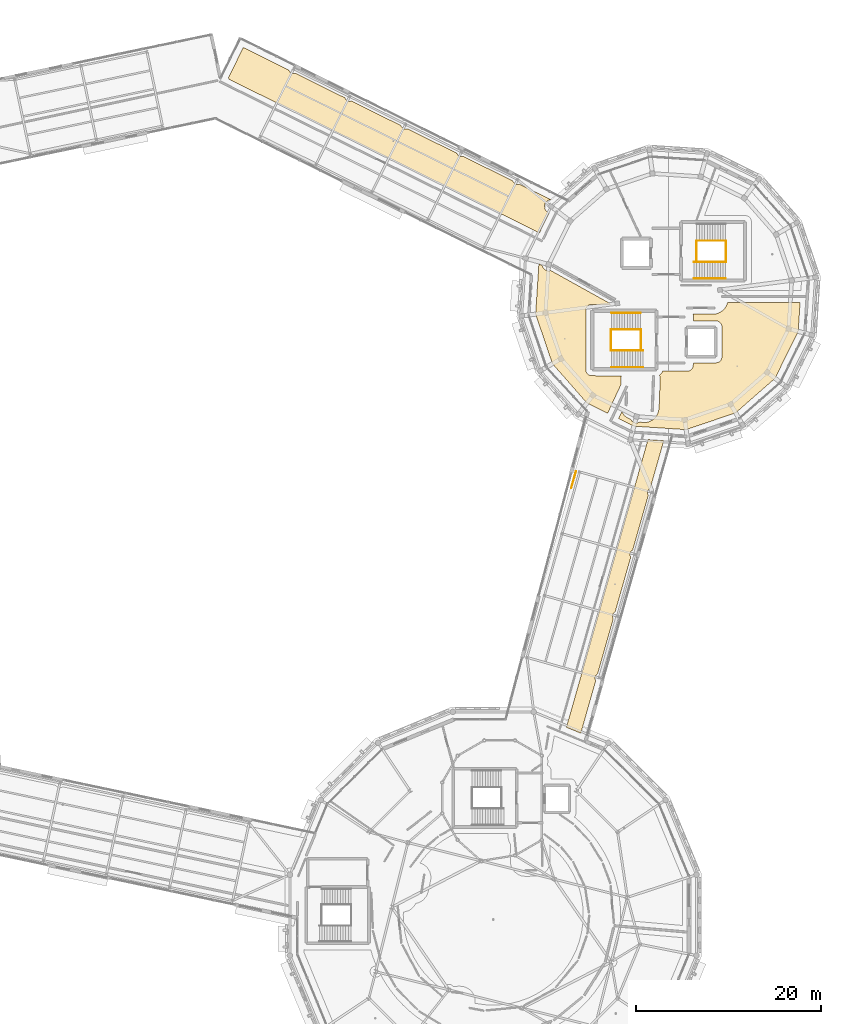
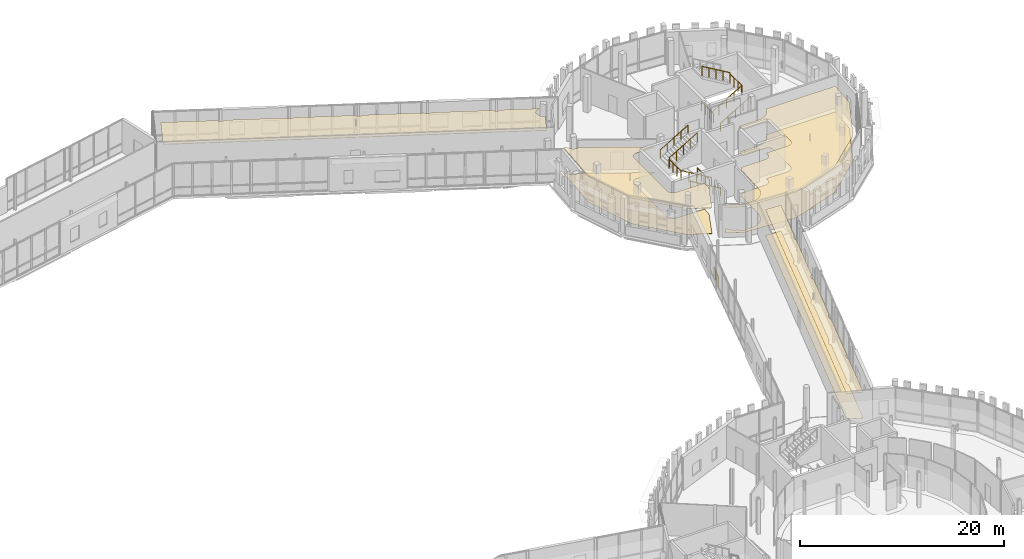
# One storey, part 124 of 125: 12 railings, 7 coverings.
"""IFC4 building model written with IfcOpenShell, lengths in metres."""

from ifc_helpers import new_model, si_unit, direction, frame, origin, origin_2d, place, context, subcontext, project, spatial, polyline, circle, outline, extrude, material, layer, layer_set, type_object, element, save


model = new_model("IFC4")

# Units and contexts
model_context = context("Model", 3, precision=1e-05, world=origin(), true_north=direction((0.0, 1.0)))
body_context = subcontext(model_context, "Body", "Model", "MODEL_VIEW")
ifc_project = project(units=[si_unit("LENGTHUNIT", "METRE"), si_unit("AREAUNIT", "SQUARE_METRE"), si_unit("VOLUMEUNIT", "CUBIC_METRE"), si_unit("PLANEANGLEUNIT", "RADIAN"), si_unit("MASSUNIT", "GRAM", prefix="KILO")], contexts=[model_context])

# Site, building, storey
site_placement = place(None, origin())
site = spatial("IfcSite", under=ifc_project, at=site_placement, CompositionType="ELEMENT")
building_placement = place(site_placement, origin())
building = spatial("IfcBuilding", under=site, at=building_placement, Name="Wrenclough Park School", CompositionType="ELEMENT")
storey_placement = place(building_placement, frame((0.0, 0.0, 4.199951171875)))
storey = spatial("IfcBuildingStorey", under=building, at=storey_placement, Name="L01", CompositionType="ELEMENT", Elevation=4.199951171875)

# Coverings
ifc_material_1 = material(Name="Class A mineral-fibre acoustic ceiling raft", Category="gypsum")
ifc_layer_1 = layer(ifc_material_1, 0.044921875)
ifc_layer_set_1 = layer_set([ifc_layer_1], Name="Class A mineral-fibre acoustic ceiling raft")
covering_type_1 = type_object("IfcCoveringType", Name="INT-COV-CEIL", PredefinedType="CEILING", material=ifc_layer_set_1)
covering_1_placement = place(storey_placement, frame((0.0, 0.0, 3.054931640625)))
element("IfcCovering", 1, at=covering_1_placement, inside=storey, type_object=covering_type_1, Name="Senior Chemistry Science Laboratory 1 acoustic ceiling raft", PredefinedType="CEILING", context=body_context, shape_type="SweptSolid", body=[
    extrude(outline(polyline([(160.830322265625, 96.829833984375), (160.447509765625, 97.0419921875), (160.091064453125, 91.60302734375), (161.913818359375, 86.2333984375), (165.652587890625, 81.969970703125), (167.8916015625, 80.865966796875), (169.318603515625, 83.926513671875), (169.351318359375, 84.711181640625), (169.35888671875, 84.787353515625), (169.384765625, 84.894775390625), (166.109619140625, 84.933837890625), (166.047119140625, 84.943603515625), (165.92626953125, 84.9814453125), (165.815185546875, 85.0419921875), (165.718017578125, 85.122802734375), (165.63818359375, 85.22119140625), (165.605712890625, 85.275634765625), (165.5576171875, 85.392578125), (165.533203125, 85.5166015625), (165.530029296875, 85.580078125), (165.530029296875, 92.02001953125), (165.54248046875, 92.146728515625), (165.57958984375, 92.268798828125), (165.606689453125, 92.326416015625), (165.677490234375, 92.432373046875), (165.720458984375, 92.4794921875), (165.81884765625, 92.560546875), (165.931396484375, 92.62060546875), (166.05322265625, 92.657470703125), (166.179931640625, 92.669921875), (168.22509765625, 92.669921875), (168.037109375, 92.82080078125), (161.731689453125, 96.32373046875), (161.6435546875, 96.29931640625), (161.576171875, 96.289306640625), (161.43994140625, 96.289306640625), (161.306396484375, 96.31591796875), (161.180419921875, 96.3681640625), (161.067138671875, 96.44384765625), (160.970703125, 96.5400390625), (160.89501953125, 96.6533203125), (160.865966796875, 96.715087890625), (160.830322265625, 96.829833984375)])), origin(), (0.0, 0.0, 1.0), 0.045166015625),
])
covering_2_placement = place(storey_placement, frame((0.0, 0.0, 3.054931640625)))
element("IfcCovering", 2, at=covering_2_placement, inside=storey, type_object=covering_type_1, Name="Senior Physics Science Laboratory 1 acoustic ceiling raft", PredefinedType="CEILING", context=body_context, shape_type="SweptSolid", body=[
    extrude(outline(polyline([(169.421875, 81.0244140625), (169.07568359375, 80.281982421875), (170.738525390625, 79.4619140625), (176.39697265625, 79.091064453125), (181.7666015625, 80.913818359375), (186.030029296875, 84.652587890625), (188.5380859375, 89.738525390625), (188.7421875, 92.85009765625), (180.880615234375, 92.85009765625), (180.779296875, 92.56103515625), (180.748779296875, 92.48974609375), (180.603759765625, 92.2607421875), (180.520263671875, 92.158203125), (180.323486328125, 91.96630859375), (180.10791015625, 91.820556640625), (180.041015625, 91.781982421875), (179.969970703125, 91.751708984375), (179.710205078125, 91.65869140625), (179.639404296875, 91.6376953125), (179.56689453125, 91.625), (179.493408203125, 91.62060546875), (177.16259765625, 91.612060546875), (177.169921875, 91.52001953125), (177.169921875, 90.8701171875), (179.68359375, 90.866943359375), (179.80859375, 90.842041015625), (179.86865234375, 90.820556640625), (179.981201171875, 90.760498046875), (180.07958984375, 90.6796875), (180.160400390625, 90.5810546875), (180.193115234375, 90.5263671875), (180.241943359375, 90.40869140625), (180.257568359375, 90.3466796875), (180.27001953125, 90.219970703125), (180.27001953125, 86.97998046875), (180.257568359375, 86.853271484375), (180.241943359375, 86.791259765625), (180.193115234375, 86.673583984375), (180.160400390625, 86.618896484375), (180.07958984375, 86.5205078125), (179.981201171875, 86.439453125), (179.86865234375, 86.37939453125), (179.80859375, 86.35791015625), (179.68359375, 86.3330078125), (177.169921875, 86.330078125), (177.1669921875, 86.016357421875), (177.14208984375, 85.891357421875), (177.09326171875, 85.773681640625), (177.0224609375, 85.66748046875), (176.9794921875, 85.620361328125), (176.881103515625, 85.53955078125), (176.768798828125, 85.4794921875), (176.646728515625, 85.4423828125), (176.52001953125, 85.429931640625), (173.851806640625, 85.429931640625), (173.820556640625, 85.331298828125), (173.793212890625, 85.273681640625), (173.722412109375, 85.16748046875), (173.63232421875, 85.077392578125), (173.517333984375, 85.00244140625), (173.559326171875, 84.8388671875), (173.582275390625, 84.498779296875), (173.468017578125, 81.43017578125), (173.45068359375, 81.303466796875), (173.340087890625, 80.857666015625), (173.311767578125, 80.791015625), (173.2763671875, 80.72802734375), (173.130126953125, 80.499267578125), (173.054931640625, 80.403076171875), (172.796142578125, 80.172119140625), (172.694580078125, 80.09912109375), (172.3212890625, 79.927490234375), (172.19921875, 79.89794921875), (171.916259765625, 79.85791015625), (171.843505859375, 79.851806640625), (171.770263671875, 79.853759765625), (171.3955078125, 79.92431640625), (171.284912109375, 79.865966796875), (171.220703125, 79.843017578125), (171.087158203125, 79.81640625), (170.950927734375, 79.81640625), (170.8173828125, 79.843017578125), (170.69140625, 79.89501953125), (170.578125, 79.970703125), (170.481689453125, 80.067138671875), (170.441162109375, 80.121826171875), (170.392822265625, 80.20849609375), (170.291259765625, 80.247802734375), (169.968994140625, 80.410400390625), (169.753173828125, 80.584716796875), (169.7119140625, 80.62255859375), (169.639892578125, 80.7080078125), (169.421875, 81.0244140625)])), origin(), (0.0, 0.0, 1.0), 0.045166015625),
])
covering_3_placement = place(storey_placement, frame((0.0, 0.0, 3.054931640625)))
element("IfcCovering", 3, at=covering_3_placement, inside=storey, type_object=covering_type_1, Name="Park View Seminar Classroom L01 acoustic ceiling raft", PredefinedType="CEILING", context=body_context, shape_type="SweptSolid", body=[
    extrude(outline(polyline([(163.4306640625, 46.845947265625), (164.985107421875, 46.2021484375), (166.60107421875, 51.900390625), (166.55908203125, 51.980224609375), (166.541748046875, 52.02880859375), (166.521728515625, 52.129638671875), (166.521728515625, 52.232421875), (166.541748046875, 52.333251953125), (166.581298828125, 52.428466796875), (166.63818359375, 52.513916015625), (166.711181640625, 52.586669921875), (166.814208984375, 52.652099609375), (168.501220703125, 58.6015625), (168.460205078125, 58.68017578125), (168.44287109375, 58.728759765625), (168.422607421875, 58.82958984375), (168.422607421875, 58.932373046875), (168.44287109375, 59.033203125), (168.482177734375, 59.12841796875), (168.539306640625, 59.2138671875), (168.612060546875, 59.28662109375), (168.714111328125, 59.3515625), (170.4013671875, 65.301513671875), (170.360107421875, 65.380126953125), (170.3427734375, 65.4287109375), (170.32275390625, 65.529541015625), (170.32275390625, 65.63232421875), (170.3427734375, 65.7333984375), (170.382080078125, 65.828369140625), (170.439208984375, 65.913818359375), (170.51220703125, 65.98681640625), (170.614013671875, 66.051513671875), (172.301025390625, 72.00048828125), (172.259033203125, 72.080078125), (172.24169921875, 72.128662109375), (172.2216796875, 72.2294921875), (172.2216796875, 72.33251953125), (172.24169921875, 72.433349609375), (172.28125, 72.5283203125), (172.33837890625, 72.614013671875), (172.4111328125, 72.686767578125), (172.51416015625, 72.752197265625), (173.97314453125, 77.89697265625), (172.265380859375, 78.0087890625), (163.4306640625, 46.845947265625)])), origin(), (0.0, 0.0, 1.0), 0.045166015625),
])
covering_4_placement = place(storey_placement, frame((0.0, 0.0, 3.054931640625)))
element("IfcCovering", 4, at=covering_4_placement, inside=storey, type_object=covering_type_1, Name="Sixth Form Tutorial Classroom L01 acoustic ceiling raft", PredefinedType="CEILING", context=body_context, shape_type="SweptSolid", body=[
    extrude(outline(polyline([(126.864501953125, 117.08837890625), (126.89208984375, 117.0361328125), (160.505859375, 100.402587890625), (161.578857421875, 102.576904296875), (161.491455078125, 102.605712890625), (161.366943359375, 102.67236328125), (161.2578125, 102.761962890625), (161.168212890625, 102.87109375), (161.101806640625, 102.99560546875), (161.060791015625, 103.130615234375), (161.047119140625, 103.27099609375), (161.050537109375, 103.341552734375), (161.077880859375, 103.47998046875), (161.132080078125, 103.6103515625), (161.168212890625, 103.6708984375), (161.2578125, 103.780029296875), (161.366943359375, 103.86962890625), (161.491455078125, 103.936279296875), (161.62646484375, 103.977294921875), (161.755615234375, 103.990478515625), (158.325439453125, 105.68798828125), (158.2333984375, 105.660400390625), (158.182373046875, 105.652587890625), (158.07958984375, 105.652587890625), (157.978759765625, 105.6728515625), (157.883544921875, 105.712158203125), (157.798095703125, 105.769287109375), (157.725341796875, 105.842041015625), (157.668212890625, 105.927490234375), (157.6259765625, 106.033935546875), (152.2626953125, 108.68798828125), (152.17041015625, 108.660400390625), (152.119384765625, 108.652587890625), (152.0166015625, 108.652587890625), (151.915771484375, 108.6728515625), (151.820556640625, 108.712158203125), (151.735107421875, 108.769287109375), (151.662353515625, 108.842041015625), (151.605224609375, 108.927490234375), (151.56298828125, 109.0341796875), (146.200439453125, 111.68798828125), (146.1083984375, 111.660400390625), (146.057373046875, 111.652587890625), (145.95458984375, 111.652587890625), (145.853759765625, 111.6728515625), (145.758544921875, 111.712158203125), (145.673095703125, 111.769287109375), (145.600341796875, 111.842041015625), (145.543212890625, 111.927490234375), (145.5009765625, 112.033935546875), (140.1376953125, 114.68798828125), (140.04541015625, 114.660400390625), (139.994384765625, 114.652587890625), (139.8916015625, 114.652587890625), (139.790771484375, 114.6728515625), (139.695556640625, 114.712158203125), (139.610107421875, 114.769287109375), (139.537353515625, 114.842041015625), (139.480224609375, 114.927490234375), (139.43798828125, 115.0341796875), (134.075439453125, 117.68798828125), (133.9833984375, 117.660400390625), (133.932373046875, 117.652587890625), (133.82958984375, 117.652587890625), (133.728759765625, 117.6728515625), (133.633544921875, 117.712158203125), (133.548095703125, 117.769287109375), (133.475341796875, 117.842041015625), (133.418212890625, 117.927490234375), (133.3759765625, 118.033935546875), (128.425048828125, 120.48388671875), (126.79296875, 117.185791015625), (126.864501953125, 117.08837890625)])), origin(), (0.0, 0.0, 1.0), 0.045166015625),
])
ifc_material_2 = material(Name="Acoustic natural linoleum school flooring", Category="wood")
ifc_layer_2 = layer(ifc_material_2, 0.014892578125)
ifc_layer_set_2 = layer_set([ifc_layer_2], Name="Acoustic natural linoleum school flooring")
covering_type_2 = type_object("IfcCoveringType", Name="INT-COV-FLOOR1", PredefinedType="FLOORING", material=ifc_layer_set_2)
covering_5_placement = place(storey_placement, origin())
element("IfcCovering", 5, at=covering_5_placement, inside=storey, type_object=covering_type_2, Name="Senior Chemistry Science Laboratory 1 floor finish", PredefinedType="FLOORING", context=body_context, shape_type="SweptSolid", body=[
    extrude(outline(polyline([(160.830322265625, 96.829833984375), (160.447509765625, 97.0419921875), (160.091064453125, 91.60302734375), (161.913818359375, 86.2333984375), (165.652587890625, 81.969970703125), (167.8916015625, 80.865966796875), (169.318603515625, 83.926513671875), (169.351318359375, 84.711181640625), (169.35888671875, 84.787353515625), (169.384765625, 84.894775390625), (166.109619140625, 84.933837890625), (166.047119140625, 84.943603515625), (165.92626953125, 84.9814453125), (165.815185546875, 85.0419921875), (165.718017578125, 85.122802734375), (165.63818359375, 85.22119140625), (165.605712890625, 85.275634765625), (165.5576171875, 85.392578125), (165.533203125, 85.5166015625), (165.530029296875, 85.580078125), (165.530029296875, 92.02001953125), (165.54248046875, 92.146728515625), (165.57958984375, 92.268798828125), (165.606689453125, 92.326416015625), (165.677490234375, 92.432373046875), (165.720458984375, 92.4794921875), (165.81884765625, 92.560546875), (165.931396484375, 92.62060546875), (166.05322265625, 92.657470703125), (166.179931640625, 92.669921875), (168.22509765625, 92.669921875), (168.037109375, 92.82080078125), (161.731689453125, 96.32373046875), (161.6435546875, 96.29931640625), (161.576171875, 96.289306640625), (161.43994140625, 96.289306640625), (161.306396484375, 96.31591796875), (161.180419921875, 96.3681640625), (161.067138671875, 96.44384765625), (160.970703125, 96.5400390625), (160.89501953125, 96.6533203125), (160.865966796875, 96.715087890625), (160.830322265625, 96.829833984375)])), origin(), (0.0, 0.0, 1.0), 0.01513671875),
])
covering_6_placement = place(storey_placement, origin())
element("IfcCovering", 6, at=covering_6_placement, inside=storey, type_object=covering_type_2, Name="Senior Physics Science Laboratory 1 floor finish", PredefinedType="FLOORING", context=body_context, shape_type="SweptSolid", body=[
    extrude(outline(polyline([(169.421875, 81.0244140625), (169.07568359375, 80.281982421875), (170.738525390625, 79.4619140625), (176.39697265625, 79.091064453125), (181.7666015625, 80.913818359375), (186.030029296875, 84.652587890625), (188.5380859375, 89.738525390625), (188.7421875, 92.85009765625), (180.880615234375, 92.85009765625), (180.779296875, 92.56103515625), (180.748779296875, 92.48974609375), (180.603759765625, 92.2607421875), (180.520263671875, 92.158203125), (180.323486328125, 91.96630859375), (180.10791015625, 91.820556640625), (180.041015625, 91.781982421875), (179.969970703125, 91.751708984375), (179.710205078125, 91.65869140625), (179.639404296875, 91.6376953125), (179.56689453125, 91.625), (179.493408203125, 91.62060546875), (177.16259765625, 91.612060546875), (177.169921875, 91.52001953125), (177.169921875, 90.8701171875), (179.68359375, 90.866943359375), (179.80859375, 90.842041015625), (179.86865234375, 90.820556640625), (179.981201171875, 90.760498046875), (180.07958984375, 90.6796875), (180.160400390625, 90.5810546875), (180.193115234375, 90.5263671875), (180.241943359375, 90.40869140625), (180.257568359375, 90.3466796875), (180.27001953125, 90.219970703125), (180.27001953125, 86.97998046875), (180.257568359375, 86.853271484375), (180.241943359375, 86.791259765625), (180.193115234375, 86.673583984375), (180.160400390625, 86.618896484375), (180.07958984375, 86.5205078125), (179.981201171875, 86.439453125), (179.86865234375, 86.37939453125), (179.80859375, 86.35791015625), (179.68359375, 86.3330078125), (177.169921875, 86.330078125), (177.1669921875, 86.016357421875), (177.14208984375, 85.891357421875), (177.09326171875, 85.773681640625), (177.0224609375, 85.66748046875), (176.9794921875, 85.620361328125), (176.881103515625, 85.53955078125), (176.768798828125, 85.4794921875), (176.646728515625, 85.4423828125), (176.52001953125, 85.429931640625), (173.851806640625, 85.429931640625), (173.820556640625, 85.331298828125), (173.793212890625, 85.273681640625), (173.722412109375, 85.16748046875), (173.63232421875, 85.077392578125), (173.517333984375, 85.00244140625), (173.559326171875, 84.8388671875), (173.582275390625, 84.498779296875), (173.468017578125, 81.43017578125), (173.45068359375, 81.303466796875), (173.340087890625, 80.857666015625), (173.311767578125, 80.791015625), (173.2763671875, 80.72802734375), (173.130126953125, 80.499267578125), (173.054931640625, 80.403076171875), (172.796142578125, 80.172119140625), (172.694580078125, 80.09912109375), (172.3212890625, 79.927490234375), (172.19921875, 79.89794921875), (171.916259765625, 79.85791015625), (171.843505859375, 79.851806640625), (171.770263671875, 79.853759765625), (171.3955078125, 79.92431640625), (171.284912109375, 79.865966796875), (171.220703125, 79.843017578125), (171.087158203125, 79.81640625), (170.950927734375, 79.81640625), (170.8173828125, 79.843017578125), (170.69140625, 79.89501953125), (170.578125, 79.970703125), (170.481689453125, 80.067138671875), (170.441162109375, 80.121826171875), (170.392822265625, 80.20849609375), (170.291259765625, 80.247802734375), (169.968994140625, 80.410400390625), (169.753173828125, 80.584716796875), (169.7119140625, 80.62255859375), (169.639892578125, 80.7080078125), (169.421875, 81.0244140625)])), origin(), (0.0, 0.0, 1.0), 0.01513671875),
])
covering_7_placement = place(storey_placement, origin())
element("IfcCovering", 7, at=covering_7_placement, inside=storey, type_object=covering_type_2, Name="Park View Seminar Classroom L01 floor finish", PredefinedType="FLOORING", context=body_context, shape_type="SweptSolid", body=[
    extrude(outline(polyline([(163.4306640625, 46.845947265625), (164.985107421875, 46.2021484375), (166.60107421875, 51.900390625), (166.55908203125, 51.980224609375), (166.541748046875, 52.02880859375), (166.521728515625, 52.129638671875), (166.521728515625, 52.232421875), (166.541748046875, 52.333251953125), (166.581298828125, 52.428466796875), (166.63818359375, 52.513916015625), (166.711181640625, 52.586669921875), (166.814208984375, 52.652099609375), (168.501220703125, 58.6015625), (168.460205078125, 58.68017578125), (168.44287109375, 58.728759765625), (168.422607421875, 58.82958984375), (168.422607421875, 58.932373046875), (168.44287109375, 59.033203125), (168.482177734375, 59.12841796875), (168.539306640625, 59.2138671875), (168.612060546875, 59.28662109375), (168.714111328125, 59.3515625), (170.4013671875, 65.301513671875), (170.360107421875, 65.380126953125), (170.3427734375, 65.4287109375), (170.32275390625, 65.529541015625), (170.32275390625, 65.63232421875), (170.3427734375, 65.7333984375), (170.382080078125, 65.828369140625), (170.439208984375, 65.913818359375), (170.51220703125, 65.98681640625), (170.614013671875, 66.051513671875), (172.301025390625, 72.00048828125), (172.259033203125, 72.080078125), (172.24169921875, 72.128662109375), (172.2216796875, 72.2294921875), (172.2216796875, 72.33251953125), (172.24169921875, 72.433349609375), (172.28125, 72.5283203125), (172.33837890625, 72.614013671875), (172.4111328125, 72.686767578125), (172.51416015625, 72.752197265625), (173.97314453125, 77.89697265625), (172.265380859375, 78.0087890625), (163.4306640625, 46.845947265625)])), origin(), (0.0, 0.0, 1.0), 0.01513671875),
])

# Railings
ifc_material_3 = material(Name="Powder-coated steel vertical-baluster stair and atrium guard", Category="steel")
railing_type_1 = type_object("IfcRailingType", Name="INT-RL-GD1120", PredefinedType="GUARDRAIL", material=ifc_material_3)
railing_1_placement = place(storey_placement, frame((171.4951171875, 87.64990234375, 0.0)))
element("IfcRailing", 8, at=railing_1_placement, inside=storey, type_object=railing_type_1, Name="ST-05 L01 well guard 1", PredefinedType="GUARDRAIL", context=body_context, shape_type="SweptSolid", body=[
    extrude(circle(Radius=0.02392578125, at=origin_2d()), frame((0.0, 0.0, 1.09619140625), z_axis=(0.0, 1.0, 0.0), x_axis=(-1.0, 0.0, 0.0)), (0.0, 0.0, 1.0), 2.300048828125),
    extrude(circle(Radius=0.02099609375, at=origin_2d()), origin(), (0.0, 0.0, 1.0), 1.072021484375),
    extrude(circle(Radius=0.02099609375, at=origin_2d()), frame((0.0, 0.7666015625, 0.0)), (0.0, 0.0, 1.0), 1.072021484375),
    extrude(circle(Radius=0.02099609375, at=origin_2d()), frame((0.0, 1.533447265625, 0.0)), (0.0, 0.0, 1.0), 1.072021484375),
    extrude(circle(Radius=0.02099609375, at=origin_2d()), frame((0.0, 2.300048828125, 0.0)), (0.0, 0.0, 1.0), 1.072021484375),
])
railing_2_placement = place(storey_placement, frame((171.739990234375, 87.64990234375, 0.16796875)))
element("IfcRailing", 9, at=railing_2_placement, inside=storey, type_object=railing_type_1, Name="ST-05 L01 well guard 2", PredefinedType="GUARDRAIL", context=body_context, shape_type="SweptSolid", body=[
    extrude(circle(Radius=0.02392578125, at=origin_2d()), frame((0.0, 0.0, 1.09619140625), z_axis=(-0.861450067461, 0.0, 0.507842279918), x_axis=(0.0, -1.0, 0.0)), (0.0, 0.0, 1.0), 3.969970703125),
    extrude(circle(Radius=0.02099609375, at=origin_2d()), origin(), (0.0, 0.0, 1.0), 1.072021484375),
    extrude(circle(Radius=0.02099609375, at=origin_2d()), frame((-0.85498046875, 0.0, 0.50390625)), (0.0, 0.0, 1.0), 1.072021484375),
    extrude(circle(Radius=0.02099609375, at=origin_2d()), frame((-1.7099609375, 0.0, 1.008056640625)), (0.0, 0.0, 1.0), 1.072021484375),
    extrude(circle(Radius=0.02099609375, at=origin_2d()), frame((-2.56494140625, 0.0, 1.51220703125)), (0.0, 0.0, 1.0), 1.072021484375),
    extrude(circle(Radius=0.02099609375, at=origin_2d()), frame((-3.419921875, 0.0, 2.01611328125)), (0.0, 0.0, 1.0), 1.072021484375),
])
railing_3_placement = place(storey_placement, frame((168.280029296875, 87.64990234375, 2.18408203125)))
element("IfcRailing", 10, at=railing_3_placement, inside=storey, type_object=railing_type_1, Name="ST-05 L01 well guard 3", PredefinedType="GUARDRAIL", context=body_context, shape_type="SweptSolid", body=[
    extrude(circle(Radius=0.02392578125, at=origin_2d()), frame((0.0, 0.0, 1.09619140625), z_axis=(0.0, 1.0, 0.0), x_axis=(-1.0, 0.0, 0.0)), (0.0, 0.0, 1.0), 2.300048828125),
    extrude(circle(Radius=0.02099609375, at=origin_2d()), origin(), (0.0, 0.0, 1.0), 1.072021484375),
    extrude(circle(Radius=0.02099609375, at=origin_2d()), frame((0.0, 0.7666015625, 0.0)), (0.0, 0.0, 1.0), 1.072021484375),
    extrude(circle(Radius=0.02099609375, at=origin_2d()), frame((0.0, 1.533447265625, 0.0)), (0.0, 0.0, 1.0), 1.072021484375),
    extrude(circle(Radius=0.02099609375, at=origin_2d()), frame((0.0, 2.300048828125, 0.0)), (0.0, 0.0, 1.0), 1.072021484375),
])
railing_4_placement = place(storey_placement, frame((168.320068359375, 89.949951171875, 2.35205078125)))
element("IfcRailing", 11, at=railing_4_placement, inside=storey, type_object=railing_type_1, Name="ST-05 L01 well guard 4", PredefinedType="GUARDRAIL", context=body_context, shape_type="SweptSolid", body=[
    extrude(circle(Radius=0.02392578125, at=origin_2d()), frame((0.0, 0.0, 1.09619140625), z_axis=(0.861480291558, 0.0, 0.50779100746), x_axis=(0.0, 1.0, 0.0)), (0.0, 0.0, 1.0), 3.63916015625),
    extrude(circle(Radius=0.02099609375, at=origin_2d()), origin(), (0.0, 0.0, 1.0), 1.072021484375),
    extrude(circle(Radius=0.02099609375, at=origin_2d()), frame((0.78369140625, 0.0, 0.4619140625)), (0.0, 0.0, 1.0), 1.072021484375),
    extrude(circle(Radius=0.02099609375, at=origin_2d()), frame((1.5673828125, 0.0, 0.923828125)), (0.0, 0.0, 1.0), 1.072021484375),
    extrude(circle(Radius=0.02099609375, at=origin_2d()), frame((2.351318359375, 0.0, 1.385986328125)), (0.0, 0.0, 1.0), 1.072021484375),
    extrude(circle(Radius=0.02099609375, at=origin_2d()), frame((3.135009765625, 0.0, 1.847900390625)), (0.0, 0.0, 1.0), 1.072021484375),
])
railing_5_placement = place(storey_placement, frame((177.5048828125, 97.25, 0.0)))
element("IfcRailing", 12, at=railing_5_placement, inside=storey, type_object=railing_type_1, Name="ST-06 L01 well guard 1", PredefinedType="GUARDRAIL", context=body_context, shape_type="SweptSolid", body=[
    extrude(circle(Radius=0.02392578125, at=origin_2d()), frame((0.0, 0.0, 1.09619140625), z_axis=(0.0, 1.0, 0.0), x_axis=(-1.0, 0.0, 0.0)), (0.0, 0.0, 1.0), 2.300048828125),
    extrude(circle(Radius=0.02099609375, at=origin_2d()), origin(), (0.0, 0.0, 1.0), 1.072021484375),
    extrude(circle(Radius=0.02099609375, at=origin_2d()), frame((0.0, 0.7666015625, 0.0)), (0.0, 0.0, 1.0), 1.072021484375),
    extrude(circle(Radius=0.02099609375, at=origin_2d()), frame((0.0, 1.533447265625, 0.0)), (0.0, 0.0, 1.0), 1.072021484375),
    extrude(circle(Radius=0.02099609375, at=origin_2d()), frame((0.0, 2.300048828125, 0.0)), (0.0, 0.0, 1.0), 1.072021484375),
])
railing_6_placement = place(storey_placement, frame((177.260009765625, 97.25, 0.16796875)))
element("IfcRailing", 13, at=railing_6_placement, inside=storey, type_object=railing_type_1, Name="ST-06 L01 well guard 2", PredefinedType="GUARDRAIL", context=body_context, shape_type="SweptSolid", body=[
    extrude(circle(Radius=0.02392578125, at=origin_2d()), frame((0.0, 0.0, 1.09619140625), z_axis=(0.861450067461, 0.0, 0.507842279918), x_axis=(0.0, 1.0, 0.0)), (0.0, 0.0, 1.0), 3.969970703125),
    extrude(circle(Radius=0.02099609375, at=origin_2d()), origin(), (0.0, 0.0, 1.0), 1.072021484375),
    extrude(circle(Radius=0.02099609375, at=origin_2d()), frame((0.85498046875, 0.0, 0.50390625)), (0.0, 0.0, 1.0), 1.072021484375),
    extrude(circle(Radius=0.02099609375, at=origin_2d()), frame((1.7099609375, 0.0, 1.008056640625)), (0.0, 0.0, 1.0), 1.072021484375),
    extrude(circle(Radius=0.02099609375, at=origin_2d()), frame((2.56494140625, 0.0, 1.51220703125)), (0.0, 0.0, 1.0), 1.072021484375),
    extrude(circle(Radius=0.02099609375, at=origin_2d()), frame((3.419921875, 0.0, 2.01611328125)), (0.0, 0.0, 1.0), 1.072021484375),
])
railing_7_placement = place(storey_placement, frame((180.719970703125, 97.25, 2.18408203125)))
element("IfcRailing", 14, at=railing_7_placement, inside=storey, type_object=railing_type_1, Name="ST-06 L01 well guard 3", PredefinedType="GUARDRAIL", context=body_context, shape_type="SweptSolid", body=[
    extrude(circle(Radius=0.02392578125, at=origin_2d()), frame((0.0, 0.0, 1.09619140625), z_axis=(0.0, 1.0, 0.0), x_axis=(-1.0, 0.0, 0.0)), (0.0, 0.0, 1.0), 2.300048828125),
    extrude(circle(Radius=0.02099609375, at=origin_2d()), origin(), (0.0, 0.0, 1.0), 1.072021484375),
    extrude(circle(Radius=0.02099609375, at=origin_2d()), frame((0.0, 0.7666015625, 0.0)), (0.0, 0.0, 1.0), 1.072021484375),
    extrude(circle(Radius=0.02099609375, at=origin_2d()), frame((0.0, 1.533447265625, 0.0)), (0.0, 0.0, 1.0), 1.072021484375),
    extrude(circle(Radius=0.02099609375, at=origin_2d()), frame((0.0, 2.300048828125, 0.0)), (0.0, 0.0, 1.0), 1.072021484375),
])
railing_8_placement = place(storey_placement, frame((180.679931640625, 99.550048828125, 2.35205078125)))
element("IfcRailing", 15, at=railing_8_placement, inside=storey, type_object=railing_type_1, Name="ST-06 L01 well guard 4", PredefinedType="GUARDRAIL", context=body_context, shape_type="SweptSolid", body=[
    extrude(circle(Radius=0.02392578125, at=origin_2d()), frame((0.0, 0.0, 1.09619140625), z_axis=(-0.861480291558, 0.0, 0.50779100746), x_axis=(0.0, -1.0, 0.0)), (0.0, 0.0, 1.0), 3.63916015625),
    extrude(circle(Radius=0.02099609375, at=origin_2d()), origin(), (0.0, 0.0, 1.0), 1.072021484375),
    extrude(circle(Radius=0.02099609375, at=origin_2d()), frame((-0.78369140625, 0.0, 0.4619140625)), (0.0, 0.0, 1.0), 1.072021484375),
    extrude(circle(Radius=0.02099609375, at=origin_2d()), frame((-1.5673828125, 0.0, 0.923828125)), (0.0, 0.0, 1.0), 1.072021484375),
    extrude(circle(Radius=0.02099609375, at=origin_2d()), frame((-2.351318359375, 0.0, 1.385986328125)), (0.0, 0.0, 1.0), 1.072021484375),
    extrude(circle(Radius=0.02099609375, at=origin_2d()), frame((-3.135009765625, 0.0, 1.847900390625)), (0.0, 0.0, 1.0), 1.072021484375),
])
railing_9_placement = place(storey_placement, frame((163.948486328125, 72.75, 0.0)))
element("IfcRailing", 16, at=railing_9_placement, inside=storey, type_object=railing_type_1, Name="L01 perimeter slab-edge guard W14-W.1", PredefinedType="GUARDRAIL", context=body_context, shape_type="SweptSolid", body=[
    extrude(circle(Radius=0.02392578125, at=origin_2d()), frame((0.0, 0.0, 1.09619140625), z_axis=(0.272842125857, 0.962058820633, 0.0), x_axis=(-0.962058820633, 0.272842125857, 0.0)), (0.0, 0.0, 1.0), 1.87109375),
    extrude(circle(Radius=0.02099609375, at=origin_2d()), origin(), (0.0, 0.0, 1.0), 1.072021484375),
    extrude(circle(Radius=0.02099609375, at=origin_2d()), frame((0.170166015625, 0.60009765625, 0.0)), (0.0, 0.0, 1.0), 1.072021484375),
    extrude(circle(Radius=0.02099609375, at=origin_2d()), frame((0.34033203125, 1.199951171875, 0.0)), (0.0, 0.0, 1.0), 1.072021484375),
    extrude(circle(Radius=0.02099609375, at=origin_2d()), frame((0.510498046875, 1.800048828125, 0.0)), (0.0, 0.0, 1.0), 1.072021484375),
])
ifc_material_4 = material(Name="Brushed stainless steel tubular handrail", Category="steel")
railing_type_2 = type_object("IfcRailingType", Name="INT-RL-HR950", PredefinedType="HANDRAIL", material=ifc_material_4)
railing_10_placement = place(storey_placement, frame((171.739990234375, 85.85009765625, 0.16796875)))
element("IfcRailing", 17, at=railing_10_placement, inside=storey, type_object=railing_type_2, Name="ST-05 L01 pitch handrail 1", PredefinedType="HANDRAIL", context=body_context, shape_type="SweptSolid", body=[
    extrude(circle(Radius=0.02392578125, at=origin_2d()), frame((0.0, 0.0, 0.92578125), z_axis=(-0.861450067461, 0.0, 0.507842279918), x_axis=(0.0, -1.0, 0.0)), (0.0, 0.0, 1.0), 3.969970703125),
    extrude(circle(Radius=0.02099609375, at=origin_2d()), origin(), (0.0, 0.0, 1.0), 0.90185546875),
    extrude(circle(Radius=0.02099609375, at=origin_2d()), frame((-0.85498046875, 0.0, 0.50390625)), (0.0, 0.0, 1.0), 0.90185546875),
    extrude(circle(Radius=0.02099609375, at=origin_2d()), frame((-1.7099609375, 0.0, 1.008056640625)), (0.0, 0.0, 1.0), 0.90185546875),
    extrude(circle(Radius=0.02099609375, at=origin_2d()), frame((-2.56494140625, 0.0, 1.51220703125)), (0.0, 0.0, 1.0), 0.90185546875),
    extrude(circle(Radius=0.02099609375, at=origin_2d()), frame((-3.419921875, 0.0, 2.01611328125)), (0.0, 0.0, 1.0), 0.90185546875),
])
railing_11_placement = place(storey_placement, frame((168.320068359375, 91.75, 2.35205078125)))
element("IfcRailing", 18, at=railing_11_placement, inside=storey, type_object=railing_type_2, Name="ST-05 L01 pitch handrail 2", PredefinedType="HANDRAIL", context=body_context, shape_type="SweptSolid", body=[
    extrude(circle(Radius=0.02392578125, at=origin_2d()), frame((0.0, 0.0, 0.92578125), z_axis=(0.861480291558, 0.0, 0.50779100746), x_axis=(0.0, 1.0, 0.0)), (0.0, 0.0, 1.0), 3.63916015625),
    extrude(circle(Radius=0.02099609375, at=origin_2d()), origin(), (0.0, 0.0, 1.0), 0.90185546875),
    extrude(circle(Radius=0.02099609375, at=origin_2d()), frame((0.78369140625, 0.0, 0.4619140625)), (0.0, 0.0, 1.0), 0.90185546875),
    extrude(circle(Radius=0.02099609375, at=origin_2d()), frame((1.5673828125, 0.0, 0.923828125)), (0.0, 0.0, 1.0), 0.90185546875),
    extrude(circle(Radius=0.02099609375, at=origin_2d()), frame((2.351318359375, 0.0, 1.385986328125)), (0.0, 0.0, 1.0), 0.90185546875),
    extrude(circle(Radius=0.02099609375, at=origin_2d()), frame((3.135009765625, 0.0, 1.847900390625)), (0.0, 0.0, 1.0), 0.90185546875),
])
railing_12_placement = place(storey_placement, frame((177.260009765625, 95.449951171875, 0.16796875)))
element("IfcRailing", 19, at=railing_12_placement, inside=storey, type_object=railing_type_2, Name="ST-06 L01 pitch handrail 1", PredefinedType="HANDRAIL", context=body_context, shape_type="SweptSolid", body=[
    extrude(circle(Radius=0.02392578125, at=origin_2d()), frame((0.0, 0.0, 0.92578125), z_axis=(0.861450067461, 0.0, 0.507842279918), x_axis=(0.0, 1.0, 0.0)), (0.0, 0.0, 1.0), 3.969970703125),
    extrude(circle(Radius=0.02099609375, at=origin_2d()), origin(), (0.0, 0.0, 1.0), 0.90185546875),
    extrude(circle(Radius=0.02099609375, at=origin_2d()), frame((0.85498046875, 0.0, 0.50390625)), (0.0, 0.0, 1.0), 0.90185546875),
    extrude(circle(Radius=0.02099609375, at=origin_2d()), frame((1.7099609375, 0.0, 1.008056640625)), (0.0, 0.0, 1.0), 0.90185546875),
    extrude(circle(Radius=0.02099609375, at=origin_2d()), frame((2.56494140625, 0.0, 1.51220703125)), (0.0, 0.0, 1.0), 0.90185546875),
    extrude(circle(Radius=0.02099609375, at=origin_2d()), frame((3.419921875, 0.0, 2.01611328125)), (0.0, 0.0, 1.0), 0.90185546875),
])

save(model, "model.ifc")
